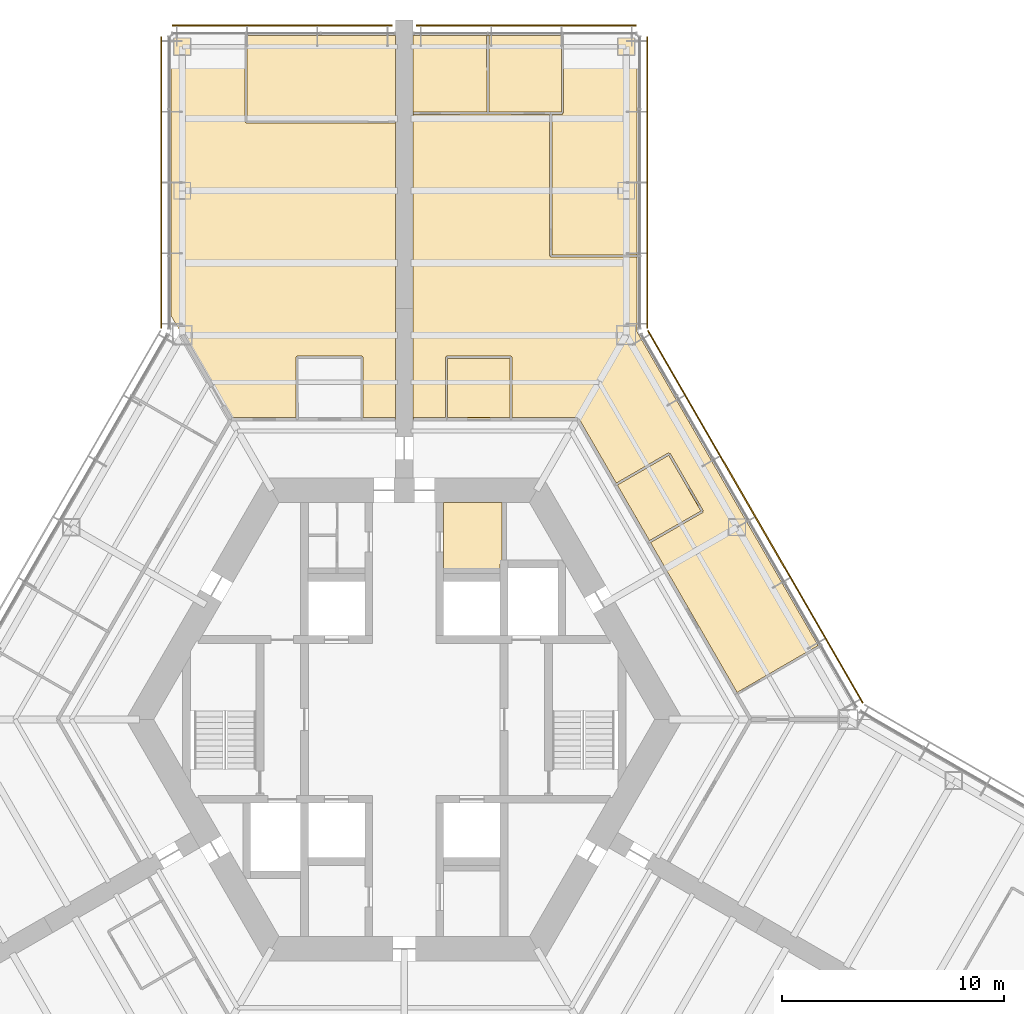
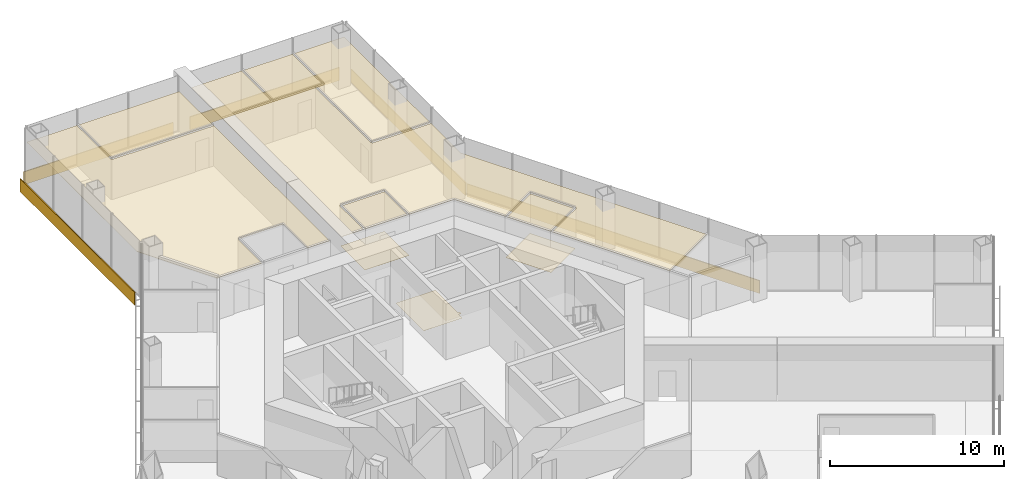
# One storey, part 18 of 18: 11 coverings, 5 shading devices.
"""IFC4 building model written with IfcOpenShell, lengths in metres."""

from ifc_helpers import new_model, si_unit, direction, frame, origin, origin_2d, place, context, subcontext, project, spatial, polyline, rectangle, outline, extrude, material, layer, layer_set, type_object, element, save


model = new_model("IFC4")

# Units and contexts
model_context = context("Model", 3, precision=1e-05, world=origin(), true_north=direction((0.0, 1.0)))
body_context = subcontext(model_context, "Body", "Model", "MODEL_VIEW")
ifc_project = project(units=[si_unit("LENGTHUNIT", "METRE"), si_unit("AREAUNIT", "SQUARE_METRE"), si_unit("VOLUMEUNIT", "CUBIC_METRE"), si_unit("PLANEANGLEUNIT", "RADIAN"), si_unit("MASSUNIT", "GRAM", prefix="KILO")], contexts=[model_context])

# Site, building, storey
site_placement = place(None, origin())
site = spatial("IfcSite", under=ifc_project, at=site_placement, CompositionType="ELEMENT")
building_placement = place(site_placement, origin())
building = spatial("IfcBuilding", under=site, at=building_placement, Name="Kasaneha Research Tower", CompositionType="ELEMENT")
storey_placement = place(building_placement, frame((0.0, 0.0, 80.699951171875)))
storey = spatial("IfcBuildingStorey", under=building, at=storey_placement, Name="L20", CompositionType="ELEMENT", Elevation=80.699951171875)

# Coverings
ifc_material_1 = material(Name="Gypsum ceiling board", Category="gypsum")
ifc_layer_1 = layer(ifc_material_1, 0.02001953125)
ifc_layer_set_1 = layer_set([ifc_layer_1], Name="Suspended ceiling 20")
covering_type_1 = type_object("IfcCoveringType", Name="Suspended ceiling 20", PredefinedType="CEILING", material=ifc_layer_set_1)
covering_1_placement = place(storey_placement, frame((0.0, 0.0, 2.800048828125)))
element("IfcCovering", 1, at=covering_1_placement, inside=storey, type_object=covering_type_1, Name="Ceiling L20-25", PredefinedType="CEILING", context=body_context, shape_type="SweptSolid", body=[
    extrude(outline(polyline([(1.954345703125, 13.60009765625), (1.9501953125, 16.27490234375), (4.766845703125, 16.27490234375), (4.7626953125, 13.60009765625), (1.954345703125, 13.60009765625)])), origin(), (0.0, 0.0, 1.0), 0.02001953125),
])
covering_2_placement = place(storey_placement, frame((0.0, 0.0, 2.800048828125)))
element("IfcCovering", 2, at=covering_2_placement, inside=storey, type_object=covering_type_1, Name="Ceiling L20-26", PredefinedType="CEILING", context=body_context, shape_type="SweptSolid", body=[
    extrude(outline(polyline([(13.36962890625, 9.393310546875), (11.05078125, 8.0595703125), (9.605224609375, 10.5634765625), (11.919677734375, 11.904541015625), (13.36962890625, 9.393310546875)])), origin(), (0.0, 0.0, 1.0), 0.02001953125),
])
covering_3_placement = place(storey_placement, frame((0.0, 0.0, 2.800048828125)))
element("IfcCovering", 3, at=covering_3_placement, inside=storey, type_object=covering_type_1, Name="Ceiling L20-27", PredefinedType="CEILING", context=body_context, shape_type="SweptSolid", body=[
    extrude(outline(polyline([(7.13330078125, 30.820556640625), (7.13330078125, 30.800537109375), (7.083251953125, 30.800537109375), (7.083251953125, 27.37060546875), (6.6044921875, 27.37060546875), (3.821533203125, 27.375), (3.816650390625, 30.800537109375), (3.7666015625, 30.800537109375), (3.7666015625, 30.820556640625), (7.13330078125, 30.820556640625)])), origin(), (0.0, 0.0, 1.0), 0.02001953125),
])
covering_4_placement = place(storey_placement, frame((0.0, 0.0, 2.800048828125)))
element("IfcCovering", 4, at=covering_4_placement, inside=storey, type_object=covering_type_1, Name="Ceiling L20-28", PredefinedType="CEILING", context=body_context, shape_type="SweptSolid", body=[
    extrude(outline(polyline([(3.7666015625, 30.820556640625), (3.7666015625, 30.800537109375), (3.716796875, 30.800537109375), (3.7216796875, 27.375), (0.419921875, 27.37060546875), (0.419921875, 27.320556640625), (0.39990234375, 27.320556640625), (0.39990234375, 30.820556640625), (3.7666015625, 30.820556640625)])), origin(), (0.0, 0.0, 1.0), 0.02001953125),
])
covering_5_placement = place(storey_placement, frame((0.0, 0.0, 2.800048828125)))
element("IfcCovering", 5, at=covering_5_placement, inside=storey, type_object=covering_type_1, Name="Ceiling L20-29", PredefinedType="CEILING", context=body_context, shape_type="SweptSolid", body=[
    extrude(outline(polyline([(10.500244140625, 30.82080078125), (10.5, 20.89111328125), (10.5, 20.941162109375), (6.650146484375, 20.941162109375), (6.654541015625, 27.2705078125), (7.13330078125, 27.2705078125), (7.13330078125, 27.320556640625), (7.183349609375, 27.320556640625), (7.183349609375, 30.800537109375), (7.133544921875, 30.800537109375), (7.133544921875, 30.82080078125), (10.500244140625, 30.82080078125)])), origin(), (0.0, 0.0, 1.0), 0.02001953125),
])
covering_6_placement = place(storey_placement, frame((0.0, 0.0, 2.800048828125)))
element("IfcCovering", 6, at=covering_6_placement, inside=storey, type_object=covering_type_1, Name="Ceiling L20-31", PredefinedType="CEILING", context=body_context, shape_type="SweptSolid", body=[
    extrude(outline(polyline([(13.438232421875, 9.374755859375), (13.438232421875, 9.375), (13.481201171875, 9.39990234375), (11.981201171875, 11.998046875), (11.938232421875, 11.97314453125), (11.938232421875, 11.973388671875), (11.937744140625, 11.97314453125), (11.912841796875, 12.016357421875), (9.55517578125, 10.64990234375), (7.87353515625, 13.5625), (7.80908203125, 13.525146484375), (7.808837890625, 13.525390625), (7.80859375, 13.525390625), (7.80859375, 13.60009765625), (4.862548828125, 13.60009765625), (4.866943359375, 16.324951171875), (4.817138671875, 16.324951171875), (4.817138671875, 16.325439453125), (4.81689453125, 16.325439453125), (4.81689453125, 16.375), (1.89990234375, 16.375), (1.89990234375, 16.325439453125), (1.899658203125, 16.325439453125), (1.899658203125, 16.324951171875), (1.85009765625, 16.324951171875), (1.8544921875, 13.60009765625), (0.419921875, 13.60009765625), (0.419921875, 13.525390625), (0.39990234375, 13.525390625), (0.39990234375, 27.320068359375), (0.419921875, 27.320068359375), (0.420166015625, 27.2705078125), (3.7666015625, 27.27490234375), (6.554443359375, 27.2705078125), (6.550048828125, 20.89111328125), (6.599609375, 20.89111328125), (6.599609375, 20.890869140625), (6.60009765625, 20.890869140625), (6.60009765625, 20.841064453125), (10.5, 20.841064453125), (10.5, 17.45458984375), (18.67919921875, 3.287841796875), (18.661865234375, 3.27783203125), (18.636962890625, 3.320556640625), (15.00146484375, 1.216552734375), (11.100830078125, 7.972900390625), (13.462890625, 9.33154296875), (13.43798828125, 9.374755859375), (13.438232421875, 9.374755859375)])), origin(), (0.0, 0.0, 1.0), 0.02001953125),
])
covering_7_placement = place(storey_placement, frame((0.0, 0.0, 2.800048828125)))
element("IfcCovering", 7, at=covering_7_placement, inside=storey, type_object=covering_type_1, Name="Ceiling L20-34", PredefinedType="CEILING", context=body_context, shape_type="SweptSolid", body=[
    extrude(outline(polyline([(-0.39990234375, 26.92041015625), (-0.419921875, 26.92041015625), (-0.419921875, 26.970458984375), (-7.083251953125, 26.970458984375), (-7.083251953125, 30.800537109375), (-7.13330078125, 30.800537109375), (-7.13330078125, 30.820556640625), (-0.39990234375, 30.820556640625), (-0.39990234375, 26.92041015625)])), origin(), (0.0, 0.0, 1.0), 0.02001953125),
])
covering_8_placement = place(storey_placement, frame((0.0, 0.0, 2.800048828125)))
element("IfcCovering", 8, at=covering_8_placement, inside=storey, type_object=covering_type_1, Name="Ceiling L20-35", PredefinedType="CEILING", context=body_context, shape_type="SweptSolid", body=[
    extrude(outline(polyline([(-1.899658203125, 16.325439453125), (-1.89990234375, 16.325439453125), (-1.89990234375, 16.375), (-4.8291015625, 16.375), (-4.8291015625, 16.325439453125), (-4.8291015625, 16.324951171875), (-4.87890625, 16.324951171875), (-4.87451171875, 13.60009765625), (-7.78564453125, 13.60009765625), (-7.78564453125, 13.525390625), (-7.808837890625, 13.525390625), (-10.5, 18.1865234375), (-10.5, 30.820556640625), (-7.1337890625, 30.820556640625), (-7.1337890625, 30.800537109375), (-7.183349609375, 30.800537109375), (-7.183349609375, 26.92041015625), (-7.133544921875, 26.92041015625), (-7.133544921875, 26.920166015625), (-7.13330078125, 26.920166015625), (-7.13330078125, 26.87060546875), (-0.419921875, 26.87060546875), (-0.419921875, 26.919921875), (-0.39990234375, 26.919921875), (-0.39990234375, 13.525390625), (-0.419921875, 13.525390625), (-0.419921875, 13.60009765625), (-1.8544921875, 13.60009765625), (-1.85009765625, 16.324951171875), (-1.899658203125, 16.324951171875), (-1.899658203125, 16.325439453125)])), origin(), (0.0, 0.0, 1.0), 0.02001953125),
])

# Shading devices
ifc_material_2 = material(Name="Terracotta", Category="masonry")
ifc_layer_2 = layer(ifc_material_2, 0.06005859375)
ifc_layer_set_2 = layer_set([ifc_layer_2], Name="Terracotta baguette screen")
shading_device_type = type_object("IfcShadingDeviceType", Name="Terracotta baguette screen", PredefinedType="USERDEFINED", material=ifc_layer_set_2)
shading_device_1_placement = place(storey_placement, frame((15.82275390625, 9.13525390625, -0.449951171875), z_axis=(0.0, 0.0, 1.0), x_axis=(-0.49999996188, 0.866025425793, 0.0)))
element("IfcShadingDevice", 9, at=shading_device_1_placement, inside=storey, type_object=shading_device_type, Name="Baguette screen L20 07", ObjectType="TERRACOTTA BAGUETTE SCREEN", PredefinedType="USERDEFINED", context=body_context, shape_type="SweptSolid", body=[
    extrude(rectangle(XDim=19.37841796875, YDim=0.06005859375, at=origin_2d()), origin(), (0.0, 0.0, 1.0), 0.89990234375),
])
shading_device_2_placement = place(storey_placement, frame((10.949951171875, 24.200927734375, -0.449951171875), z_axis=(0.0, 0.0, 1.0), x_axis=(0.0, 1.0, 0.0)))
element("IfcShadingDevice", 10, at=shading_device_2_placement, inside=storey, type_object=shading_device_type, Name="Baguette screen L20 08", ObjectType="TERRACOTTA BAGUETTE SCREEN", PredefinedType="USERDEFINED", context=body_context, shape_type="SweptSolid", body=[
    extrude(rectangle(XDim=13.13916015625, YDim=0.06005859375, at=origin_2d()), origin(), (0.0, 0.0, 1.0), 0.89990234375),
])
for number, where, z_axis, x_axis, name in (
    (11, (5.5, 31.2705078125, -0.449951171875), (0.0, 0.0, 1.0), (-1.0, 0.0, 0.0), "Baguette screen L20 09"),
    (12, (-5.5, 31.2705078125, -0.449951171875), (0.0, 0.0, 1.0), (-1.0, 0.0, 0.0), "Baguette screen L20 10"),
):
    element("IfcShadingDevice", number, at=place(storey_placement, frame(where, z_axis=z_axis, x_axis=x_axis)), inside=storey, type_object=shading_device_type, Name=name, ObjectType="TERRACOTTA BAGUETTE SCREEN", PredefinedType="USERDEFINED", context=body_context, shape_type="SweptSolid", body=[
        extrude(rectangle(XDim=9.89990234375, YDim=0.06005859375, at=origin_2d()), origin(), (0.0, 0.0, 1.0), 0.89990234375),
    ])
shading_device_3_placement = place(storey_placement, frame((-10.949951171875, 24.200927734375, -0.449951171875), z_axis=(0.0, 0.0, 1.0), x_axis=(0.0, -1.0, 0.0)))
element("IfcShadingDevice", 13, at=shading_device_3_placement, inside=storey, type_object=shading_device_type, Name="Baguette screen L20 11", ObjectType="TERRACOTTA BAGUETTE SCREEN", PredefinedType="USERDEFINED", context=body_context, shape_type="SweptSolid", body=[
    extrude(rectangle(XDim=13.13916015625, YDim=0.06005859375, at=origin_2d()), origin(), (0.0, 0.0, 1.0), 0.89990234375),
])

# Coverings
ifc_material_3 = material(Name="Vinyl sheet flooring", Category="plastic")
ifc_layer_3 = layer(ifc_material_3, 0.0048828125)
ifc_layer_set_3 = layer_set([ifc_layer_3], Name="Wet room sheet flooring 5")
covering_type_2 = type_object("IfcCoveringType", Name="Wet room sheet flooring 5", PredefinedType="FLOORING", material=ifc_layer_set_3)
covering_9_placement = place(storey_placement, origin())
element("IfcCovering", 14, at=covering_9_placement, inside=storey, type_object=covering_type_2, Name="Floor finish L20-09", PredefinedType="FLOORING", context=body_context, shape_type="SweptSolid", body=[
    extrude(outline(polyline([(4.39892578125, 9.77490234375), (4.39892578125, 7.175048828125), (4.39892578125, 7.1748046875), (4.39892578125, 7.1748046875), (4.39892578125, 7.1748046875), (4.399169921875, 7.174560546875), (4.399169921875, 7.174560546875), (4.399169921875, 7.174560546875), (4.399169921875, 7.17431640625), (4.399169921875, 7.17431640625), (4.3994140625, 7.17431640625), (4.3994140625, 7.174072265625), (4.3994140625, 7.174072265625), (4.399658203125, 7.174072265625), (4.399658203125, 7.174072265625), (4.39990234375, 7.174072265625), (4.39990234375, 7.174072265625), (4.39990234375, 7.174072265625), (4.5, 7.174072265625), (4.5, 7.0), (4.324951171875, 7.0), (4.324951171875, 6.574951171875), (1.77490234375, 6.574951171875), (1.77490234375, 9.77490234375), (4.39892578125, 9.77490234375)])), origin(), (0.0, 0.0, 1.0), 0.005126953125),
])
covering_10_placement = place(storey_placement, origin())
element("IfcCovering", 15, at=covering_10_placement, inside=storey, type_object=covering_type_2, Name="Floor finish L20-25", PredefinedType="FLOORING", context=body_context, shape_type="SweptSolid", body=[
    extrude(outline(polyline([(1.89990234375, 16.324951171875), (4.81689453125, 16.324951171875), (4.81689453125, 13.52490234375), (1.89990234375, 13.52490234375), (1.89990234375, 16.324951171875)])), origin(), (0.0, 0.0, 1.0), 0.005126953125),
])
covering_11_placement = place(storey_placement, origin())
element("IfcCovering", 16, at=covering_11_placement, inside=storey, type_object=covering_type_2, Name="Floor finish L20-26", PredefinedType="FLOORING", context=body_context, shape_type="SweptSolid", body=[
    extrude(outline(polyline([(11.93798828125, 11.972900390625), (13.43798828125, 9.375), (11.012939453125, 7.974853515625), (9.512939453125, 10.572998046875), (11.93798828125, 11.972900390625)])), origin(), (0.0, 0.0, 1.0), 0.005126953125),
])

save(model, "model.ifc")
